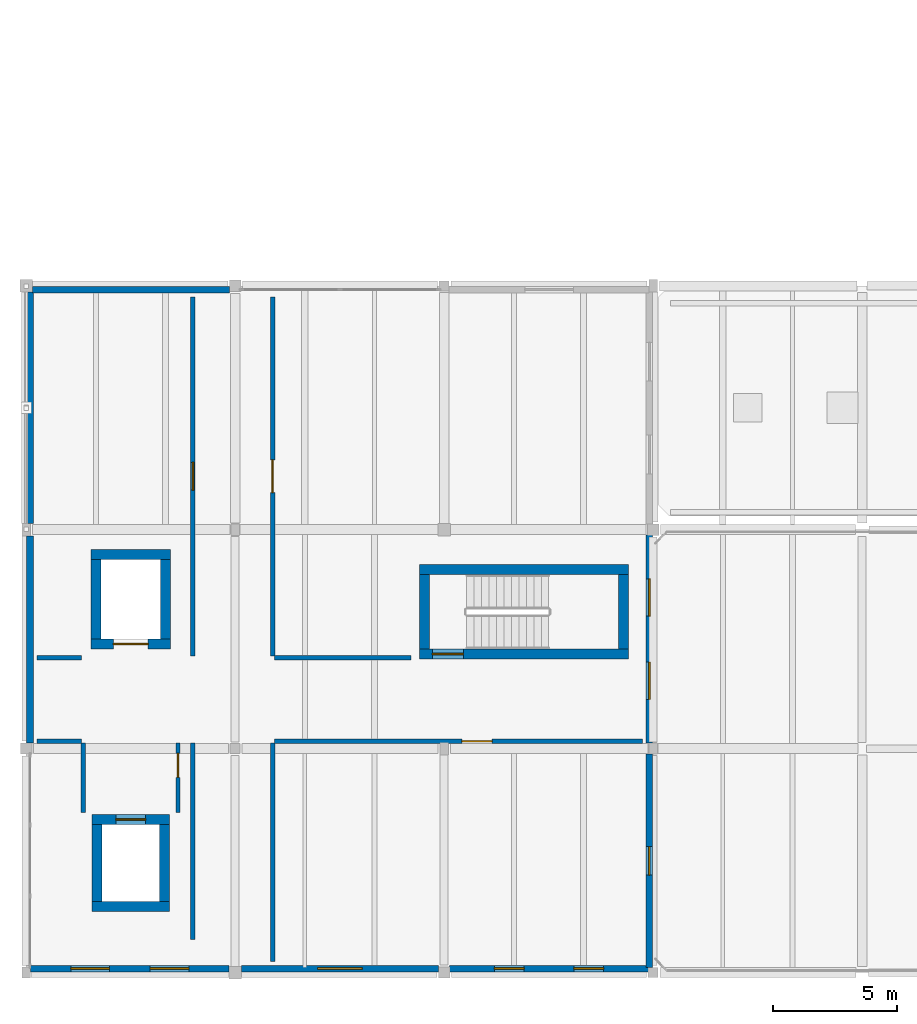
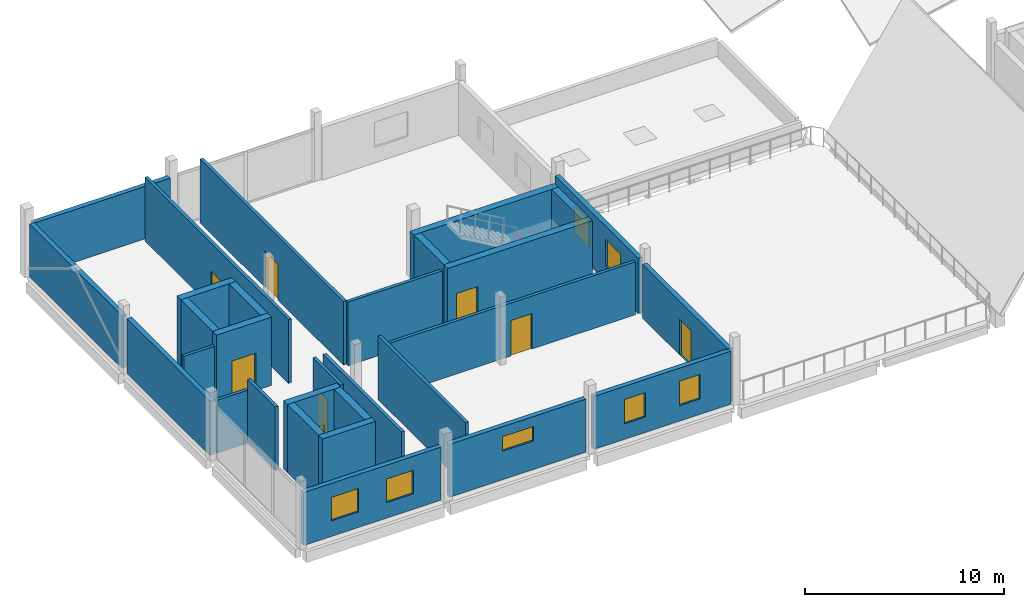
# One storey, part 19 of 35: 30 walls, 8 doors, 7 windows, 15 openings.
"""IFC4 building model written with IfcOpenShell, lengths in metres."""

from ifc_helpers import new_model, si_unit, direction, frame, frame_2d, origin, place, context, subcontext, project, spatial, rectangle, extrude, material, layer, layer_set, type_object, element, fill, save


model = new_model("IFC4")

# Units and contexts
model_context = context("Model", 3, precision=1e-05, world=origin(), true_north=direction((0.0, 1.0)))
body_context = subcontext(model_context, "Body", "Model", "MODEL_VIEW")
ifc_project = project(units=[si_unit("LENGTHUNIT", "METRE"), si_unit("AREAUNIT", "SQUARE_METRE"), si_unit("VOLUMEUNIT", "CUBIC_METRE"), si_unit("PLANEANGLEUNIT", "RADIAN"), si_unit("MASSUNIT", "GRAM", prefix="KILO")], contexts=[model_context])

# Site, building, storey
site_placement = place(None, origin())
site = spatial("IfcSite", under=ifc_project, at=site_placement, CompositionType="ELEMENT")
building_placement = place(site_placement, origin())
building = spatial("IfcBuilding", under=site, at=building_placement, Name="Birchvale Park Specialist Clinic", CompositionType="ELEMENT")
storey_placement = place(building_placement, frame((0.0, 0.0, 13.800048828125)))
storey = spatial("IfcBuildingStorey", under=building, at=storey_placement, Name="L03", CompositionType="ELEMENT", Elevation=13.800048828125)

# Wall, opening, door
ifc_material_1 = material(Name="Concrete C40/50", Category="concrete")
ifc_layer_1 = layer(ifc_material_1, 0.39990234375)
ifc_layer_set_1 = layer_set([ifc_layer_1], Name="Concrete C40/50")
wall_type_1 = type_object("IfcWallType", Name="WL-CW-120", PredefinedType="SHEAR", material=ifc_layer_set_1)
wall_1_placement = place(storey_placement, frame((27.0, 29.60009765625, 0.0), z_axis=(0.0, 0.0, 1.0), x_axis=(1.0, 0.0, 0.0)))
wall_1 = element("IfcWall", 1, at=wall_1_placement, inside=storey, type_object=wall_type_1, Name="L03 stair ST2 EI 120 enclosure wall (south)", PredefinedType="SHEAR", context=body_context, shape_type="SweptSolid", body=[
    extrude(rectangle(XDim=8.39990234375, YDim=0.39990234375, at=frame_2d((4.199951171875, 0.0))), origin(), (0.0, 0.0, 1.0), 3.919921875),
])
opening_1_placement = place(wall_1_placement, frame((0.52001953125, 0.0, 0.0)))
opening_1 = element("IfcOpeningElement", 2, at=opening_1_placement, cuts=wall_1, Name="Opening ID-FD60", PredefinedType="OPENING", context=body_context, shape_type="SweptSolid", body=[
    extrude(rectangle(XDim=1.25, YDim=2.199951171875, at=frame_2d((0.625, 1.10009765625))), frame((0.0, 0.2099609375, 0.0), z_axis=(0.0, -1.0, 0.0), x_axis=(1.0, 0.0, 0.0)), (0.0, 0.0, 1.0), 0.419921875),
])
ifc_material_2 = material(Name="Solid-core birch veneer and anodised aluminium", Category="aluminium")
door_type_1 = type_object("IfcDoorType", Name="DR-ID-FD60", OperationType="NOTDEFINED", PredefinedType="DOOR", material=ifc_material_2)
door_1_placement = place(opening_1_placement, origin())
door_1 = element("IfcDoor", 3, at=door_1_placement, inside=storey, type_object=door_type_1, Name="L03 stair ST2 fire door", OperationType="SINGLE_SWING_LEFT", OverallHeight=2.199951171875, OverallWidth=1.25, PredefinedType="DOOR", context=body_context, shape_type="SweptSolid", body=[
    extrude(rectangle(XDim=1.25, YDim=2.199951171875, at=frame_2d((0.625, 1.10009765625))), frame((0.0, 0.02490234375, 0.0), z_axis=(0.0, -1.0, 0.0), x_axis=(1.0, 0.0, 0.0)), (0.0, 0.0, 1.0), 0.050048828125),
])
fill(opening_1, door_1)

# Walls
wall_2_placement = place(storey_placement, frame((35.39990234375, 33.0, 0.0), z_axis=(0.0, 0.0, 1.0), x_axis=(-1.0, 0.0, 0.0)))
element("IfcWall", 4, at=wall_2_placement, inside=storey, type_object=wall_type_1, Name="L03 stair ST2 EI 120 enclosure wall (north)", PredefinedType="SHEAR", context=body_context, shape_type="SweptSolid", body=[
    extrude(rectangle(XDim=8.39990234375, YDim=0.39990234375, at=frame_2d((4.199951171875, 0.0))), origin(), (0.0, 0.0, 1.0), 3.919921875),
])
for number, where, z_axis, x_axis, name in (
    (5, (27.199951171875, 29.800048828125, 0.0), (0.0, 0.0, 1.0), (0.0, 1.0, 0.0), "L03 stair ST2 EI 120 enclosure wall (west)"),
    (6, (35.199951171875, 32.800048828125, 0.0), (0.0, 0.0, 1.0), (0.0, -1.0, 0.0), "L03 stair ST2 EI 120 enclosure wall (east)"),
):
    element("IfcWall", number, at=place(storey_placement, frame(where, z_axis=z_axis, x_axis=x_axis)), inside=storey, type_object=wall_type_1, Name=name, PredefinedType="SHEAR", context=body_context, shape_type="SweptSolid", body=[
        extrude(rectangle(XDim=3.0, YDim=0.39990234375, at=frame_2d((1.5, 0.0))), origin(), (0.0, 0.0, 1.0), 3.919921875),
    ])
wall_3_placement = place(storey_placement, frame((13.85009765625, 19.449951171875, 0.0), z_axis=(0.0, 0.0, 1.0), x_axis=(1.0, 0.0, 0.0)))
element("IfcWall", 7, at=wall_3_placement, inside=storey, type_object=wall_type_1, Name="L03 lift LP3 shaft wall (south)", PredefinedType="SHEAR", context=body_context, shape_type="SweptSolid", body=[
    extrude(rectangle(XDim=3.099853515625, YDim=0.39990234375, at=frame_2d((1.5498046875, 0.0))), origin(), (0.0, 0.0, 1.0), 4.199951171875),
])

# Wall, opening, door
wall_4_placement = place(storey_placement, frame((16.949951171875, 22.949951171875, 0.0), z_axis=(0.0, 0.0, 1.0), x_axis=(-1.0, 0.0, 0.0)))
wall_4 = element("IfcWall", 8, at=wall_4_placement, inside=storey, type_object=wall_type_1, Name="L03 lift LP3 shaft wall (north)", PredefinedType="SHEAR", context=body_context, shape_type="SweptSolid", body=[
    extrude(rectangle(XDim=3.099853515625, YDim=0.39990234375, at=frame_2d((1.5498046875, 0.0))), origin(), (0.0, 0.0, 1.0), 4.199951171875),
])
opening_2_placement = place(wall_4_placement, frame((0.949951171875, 0.0, 0.0)))
opening_2 = element("IfcOpeningElement", 9, at=opening_2_placement, cuts=wall_4, Name="Opening LD-01", PredefinedType="OPENING", context=body_context, shape_type="SweptSolid", body=[
    extrude(rectangle(XDim=1.199951171875, YDim=2.199951171875, at=frame_2d((0.60009765625, 1.10009765625))), frame((0.0, 0.2099609375, 0.0), z_axis=(0.0, -1.0, 0.0), x_axis=(1.0, 0.0, 0.0)), (0.0, 0.0, 1.0), 0.419921875),
])
door_type_2 = type_object("IfcDoorType", Name="DR-LD-01", OperationType="DOUBLE_DOOR_SLIDING", PredefinedType="DOOR", material=ifc_material_2)
door_2_placement = place(opening_2_placement, origin())
door_2 = element("IfcDoor", 10, at=door_2_placement, inside=storey, type_object=door_type_2, Name="L03 lift LP3 sliding landing door", OperationType="DOUBLE_DOOR_SLIDING", OverallHeight=2.199951171875, OverallWidth=1.199951171875, PredefinedType="DOOR", context=body_context, shape_type="SweptSolid", body=[
    extrude(rectangle(XDim=1.199951171875, YDim=2.199951171875, at=frame_2d((0.60009765625, 1.10009765625))), frame((0.0, 0.02490234375, 0.0), z_axis=(0.0, -1.0, 0.0), x_axis=(1.0, 0.0, 0.0)), (0.0, 0.0, 1.0), 0.050048828125),
])
fill(opening_2, door_2)

# Walls
for number, where, z_axis, x_axis, name in (
    (11, (14.050048828125, 19.64990234375, 0.0), (0.0, 0.0, 1.0), (0.0, 1.0, 0.0), "L03 lift LP3 shaft wall (west)"),
    (12, (16.75, 22.75, 0.0), (0.0, 0.0, 1.0), (0.0, -1.0, 0.0), "L03 lift LP3 shaft wall (east)"),
):
    element("IfcWall", number, at=place(storey_placement, frame(where, z_axis=z_axis, x_axis=x_axis)), inside=storey, type_object=wall_type_1, Name=name, PredefinedType="SHEAR", context=body_context, shape_type="SweptSolid", body=[
        extrude(rectangle(XDim=3.10009765625, YDim=0.39990234375, at=frame_2d((1.550048828125, 0.0))), origin(), (0.0, 0.0, 1.0), 4.199951171875),
    ])

# Wall, opening, door
wall_5_placement = place(storey_placement, frame((13.800048828125, 30.0, 0.0), z_axis=(0.0, 0.0, 1.0), x_axis=(1.0, 0.0, 0.0)))
wall_5 = element("IfcWall", 13, at=wall_5_placement, inside=storey, type_object=wall_type_1, Name="L03 lift LS1 shaft wall (south)", PredefinedType="SHEAR", context=body_context, shape_type="SweptSolid", body=[
    extrude(rectangle(XDim=3.199951171875, YDim=0.39990234375, at=frame_2d((1.60009765625, 0.0))), origin(), (0.0, 0.0, 1.0), 4.199951171875),
])
opening_3_placement = place(wall_5_placement, frame((0.89990234375, 0.0, 0.0)))
opening_3 = element("IfcOpeningElement", 14, at=opening_3_placement, cuts=wall_5, Name="Opening LD-03", PredefinedType="OPENING", context=body_context, shape_type="SweptSolid", body=[
    extrude(rectangle(XDim=1.39990234375, YDim=2.300048828125, at=frame_2d((0.699951171875, 1.14990234375))), frame((0.0, 0.2099609375, 0.0), z_axis=(0.0, -1.0, 0.0), x_axis=(1.0, 0.0, 0.0)), (0.0, 0.0, 1.0), 0.419921875),
])
door_type_3 = type_object("IfcDoorType", Name="DR-LD-03", OperationType="DOUBLE_DOOR_SLIDING", PredefinedType="DOOR", material=ifc_material_2)
door_3_placement = place(opening_3_placement, origin())
door_3 = element("IfcDoor", 15, at=door_3_placement, inside=storey, type_object=door_type_3, Name="L03 lift LS1 sliding landing door", OperationType="DOUBLE_DOOR_SLIDING", OverallHeight=2.300048828125, OverallWidth=1.39990234375, PredefinedType="DOOR", context=body_context, shape_type="SweptSolid", body=[
    extrude(rectangle(XDim=1.39990234375, YDim=2.300048828125, at=frame_2d((0.699951171875, 1.14990234375))), frame((0.0, 0.02490234375, 0.0), z_axis=(0.0, -1.0, 0.0), x_axis=(1.0, 0.0, 0.0)), (0.0, 0.0, 1.0), 0.050048828125),
])
fill(opening_3, door_3)

# Walls
for number, where, z_axis, x_axis, name in (
    (16, (17.0, 33.60009765625, 0.0), (0.0, 0.0, 1.0), (-1.0, 0.0, 0.0), "L03 lift LS1 shaft wall (north)"),
    (17, (14.0, 30.199951171875, 0.0), (0.0, 0.0, 1.0), (0.0, 1.0, 0.0), "L03 lift LS1 shaft wall (west)"),
    (18, (16.800048828125, 33.39990234375, 0.0), (0.0, 0.0, 1.0), (0.0, -1.0, 0.0), "L03 lift LS1 shaft wall (east)"),
):
    element("IfcWall", number, at=place(storey_placement, frame(where, z_axis=z_axis, x_axis=x_axis)), inside=storey, type_object=wall_type_1, Name=name, PredefinedType="SHEAR", context=body_context, shape_type="SweptSolid", body=[
        extrude(rectangle(XDim=3.199951171875, YDim=0.39990234375, at=frame_2d((1.60009765625, 0.0))), origin(), (0.0, 0.0, 1.0), 4.199951171875),
    ])

# Wall, openings, windows
ifc_material_3 = material(Name="Lime-white mineral-rendered insulated masonry", Category="masonry")
ifc_layer_2 = layer(ifc_material_3, 0.27001953125)
ifc_layer_set_2 = layer_set([ifc_layer_2], Name="Lime-white mineral-rendered insulated masonry")
wall_type_2 = type_object("IfcWallType", Name="WL-EW-04", PredefinedType="STANDARD", material=ifc_layer_set_2)
wall_6_placement = place(storey_placement, frame((11.3701171875, 16.955078125, 0.0), z_axis=(0.0, 0.0, 1.0), x_axis=(1.0, 0.0, 0.0)))
wall_6 = element("IfcWall", 19, at=wall_6_placement, inside=storey, type_object=wall_type_2, Name="V2 L03 exterior facade wall 228", PredefinedType="STANDARD", context=body_context, shape_type="SweptSolid", body=[
    extrude(rectangle(XDim=7.98486328125, YDim=0.27001953125, at=frame_2d((3.992431640625, 0.0))), origin(), (0.0, 0.0, 1.0), 3.2548828125),
])
opening_4_placement = place(wall_6_placement, frame((1.62060546875, 0.0, 0.949951171875)))
opening_4 = element("IfcOpeningElement", 20, at=opening_4_placement, cuts=wall_6, Name="Opening W-CL15", PredefinedType="OPENING", context=body_context, shape_type="SweptSolid", body=[
    extrude(rectangle(XDim=1.550048828125, YDim=1.449951171875, at=frame_2d((0.77490234375, 0.72509765625))), frame((0.0, 0.14501953125, 0.0), z_axis=(0.0, -1.0, 0.0), x_axis=(1.0, 0.0, 0.0)), (0.0, 0.0, 1.0), 0.2900390625),
])
opening_5_placement = place(wall_6_placement, frame((4.814453125, 0.0, 0.949951171875)))
opening_5 = element("IfcOpeningElement", 21, at=opening_5_placement, cuts=wall_6, Name="Opening W-CL15", PredefinedType="OPENING", context=body_context, shape_type="SweptSolid", body=[
    extrude(rectangle(XDim=1.550048828125, YDim=1.449951171875, at=frame_2d((0.77490234375, 0.72509765625))), frame((0.0, 0.14501953125, 0.0), z_axis=(0.0, -1.0, 0.0), x_axis=(1.0, 0.0, 0.0)), (0.0, 0.0, 1.0), 0.2900390625),
])
ifc_material_4 = material(Name="Solar-control low-E double glazing", Category="glass")
window_type_1 = type_object("IfcWindowType", Name="WIN-W-CL15", PartitioningType="SINGLE_PANEL", PredefinedType="WINDOW", material=ifc_material_4)
window_1_placement = place(opening_4_placement, origin())
window_1 = element("IfcWindow", 22, at=window_1_placement, inside=storey, type_object=window_type_1, Name="V2 L03 cased window 90", OverallHeight=1.449951171875, OverallWidth=1.550048828125, PartitioningType="SINGLE_PANEL", PredefinedType="WINDOW", context=body_context, shape_type="SweptSolid", body=[
    extrude(rectangle(XDim=1.550048828125, YDim=1.449951171875, at=frame_2d((0.77490234375, 0.72509765625))), frame((0.0, 0.030029296875, 0.0), z_axis=(0.0, -1.0, 0.0), x_axis=(1.0, 0.0, 0.0)), (0.0, 0.0, 1.0), 0.06005859375),
])
fill(opening_4, window_1)
window_2_placement = place(opening_5_placement, origin())
window_2 = element("IfcWindow", 23, at=window_2_placement, inside=storey, type_object=window_type_1, Name="V2 L03 cased window 91", OverallHeight=1.449951171875, OverallWidth=1.550048828125, PartitioningType="SINGLE_PANEL", PredefinedType="WINDOW", context=body_context, shape_type="SweptSolid", body=[
    extrude(rectangle(XDim=1.550048828125, YDim=1.449951171875, at=frame_2d((0.77490234375, 0.72509765625))), frame((0.0, 0.030029296875, 0.0), z_axis=(0.0, -1.0, 0.0), x_axis=(1.0, 0.0, 0.0)), (0.0, 0.0, 1.0), 0.06005859375),
])
fill(opening_5, window_2)

# Wall, opening, window
wall_7_placement = place(storey_placement, frame((19.844970703125, 16.955078125, 0.0), z_axis=(0.0, 0.0, 1.0), x_axis=(1.0, 0.0, 0.0)))
wall_7 = element("IfcWall", 24, at=wall_7_placement, inside=storey, type_object=wall_type_2, Name="V2 L03 exterior facade wall 229", PredefinedType="STANDARD", context=body_context, shape_type="SweptSolid", body=[
    extrude(rectangle(XDim=7.93505859375, YDim=0.27001953125, at=frame_2d((3.967529296875, 0.0))), origin(), (0.0, 0.0, 1.0), 3.2548828125),
])
opening_6_placement = place(wall_7_placement, frame((3.0673828125, 0.0, 1.75)))
opening_6 = element("IfcOpeningElement", 25, at=opening_6_placement, cuts=wall_7, Name="Opening W-CL09", PredefinedType="OPENING", context=body_context, shape_type="SweptSolid", body=[
    extrude(rectangle(XDim=1.800048828125, YDim=0.89990234375, at=frame_2d((0.89990234375, 0.449951171875))), frame((0.0, 0.14501953125, 0.0), z_axis=(0.0, -1.0, 0.0), x_axis=(1.0, 0.0, 0.0)), (0.0, 0.0, 1.0), 0.2900390625),
])
window_type_2 = type_object("IfcWindowType", Name="WIN-W-CL09", PartitioningType="SINGLE_PANEL", PredefinedType="WINDOW", material=ifc_material_4)
window_3_placement = place(opening_6_placement, origin())
window_3 = element("IfcWindow", 26, at=window_3_placement, inside=storey, type_object=window_type_2, Name="V2 L03 cased window 92", OverallHeight=0.89990234375, OverallWidth=1.800048828125, PartitioningType="SINGLE_PANEL", PredefinedType="WINDOW", context=body_context, shape_type="SweptSolid", body=[
    extrude(rectangle(XDim=1.800048828125, YDim=0.89990234375, at=frame_2d((0.89990234375, 0.449951171875))), frame((0.0, 0.030029296875, 0.0), z_axis=(0.0, -1.0, 0.0), x_axis=(1.0, 0.0, 0.0)), (0.0, 0.0, 1.0), 0.06005859375),
])
fill(opening_6, window_3)

# Wall, openings, windows
wall_8_placement = place(storey_placement, frame((28.219970703125, 16.955078125, 0.0), z_axis=(0.0, 0.0, 1.0), x_axis=(1.0, 0.0, 0.0)))
wall_8 = element("IfcWall", 27, at=wall_8_placement, inside=storey, type_object=wall_type_2, Name="V2 L03 exterior facade wall 230", PredefinedType="STANDARD", context=body_context, shape_type="SweptSolid", body=[
    extrude(rectangle(XDim=7.985107421875, YDim=0.27001953125, at=frame_2d((3.99267578125, 0.0))), origin(), (0.0, 0.0, 1.0), 3.2548828125),
])
opening_7_placement = place(wall_8_placement, frame((1.79541015625, 0.0, 0.949951171875)))
opening_7 = element("IfcOpeningElement", 28, at=opening_7_placement, cuts=wall_8, Name="Opening W-CL01", PredefinedType="OPENING", context=body_context, shape_type="SweptSolid", body=[
    extrude(rectangle(XDim=1.199951171875, YDim=1.5, at=frame_2d((0.60009765625, 0.75))), frame((0.0, 0.14501953125, 0.0), z_axis=(0.0, -1.0, 0.0), x_axis=(1.0, 0.0, 0.0)), (0.0, 0.0, 1.0), 0.2900390625),
])
opening_8_placement = place(wall_8_placement, frame((4.989501953125, 0.0, 0.949951171875)))
opening_8 = element("IfcOpeningElement", 29, at=opening_8_placement, cuts=wall_8, Name="Opening W-CL01", PredefinedType="OPENING", context=body_context, shape_type="SweptSolid", body=[
    extrude(rectangle(XDim=1.199951171875, YDim=1.5, at=frame_2d((0.60009765625, 0.75))), frame((0.0, 0.14501953125, 0.0), z_axis=(0.0, -1.0, 0.0), x_axis=(1.0, 0.0, 0.0)), (0.0, 0.0, 1.0), 0.2900390625),
])
window_type_3 = type_object("IfcWindowType", Name="WIN-W-CL01", PartitioningType="SINGLE_PANEL", PredefinedType="WINDOW", material=ifc_material_4)
window_4_placement = place(opening_7_placement, origin())
window_4 = element("IfcWindow", 30, at=window_4_placement, inside=storey, type_object=window_type_3, Name="V2 L03 cased window 93", OverallHeight=1.5, OverallWidth=1.199951171875, PartitioningType="SINGLE_PANEL", PredefinedType="WINDOW", context=body_context, shape_type="SweptSolid", body=[
    extrude(rectangle(XDim=1.199951171875, YDim=1.5, at=frame_2d((0.60009765625, 0.75))), frame((0.0, 0.030029296875, 0.0), z_axis=(0.0, -1.0, 0.0), x_axis=(1.0, 0.0, 0.0)), (0.0, 0.0, 1.0), 0.06005859375),
])
fill(opening_7, window_4)
window_5_placement = place(opening_8_placement, origin())
window_5 = element("IfcWindow", 31, at=window_5_placement, inside=storey, type_object=window_type_3, Name="V2 L03 cased window 94", OverallHeight=1.5, OverallWidth=1.199951171875, PartitioningType="SINGLE_PANEL", PredefinedType="WINDOW", context=body_context, shape_type="SweptSolid", body=[
    extrude(rectangle(XDim=1.199951171875, YDim=1.5, at=frame_2d((0.60009765625, 0.75))), frame((0.0, 0.030029296875, 0.0), z_axis=(0.0, -1.0, 0.0), x_axis=(1.0, 0.0, 0.0)), (0.0, 0.0, 1.0), 0.06005859375),
])
fill(opening_8, window_5)

# Wall, opening, door
wall_9_placement = place(storey_placement, frame((36.2451171875, 16.9951171875, 0.0), z_axis=(0.0, 0.0, 1.0), x_axis=(0.0, 1.0, 0.0)))
wall_9 = element("IfcWall", 32, at=wall_9_placement, inside=storey, type_object=wall_type_2, Name="V2 L03 exterior facade wall 231", PredefinedType="STANDARD", context=body_context, shape_type="SweptSolid", body=[
    extrude(rectangle(XDim=8.5849609375, YDim=0.27001953125, at=frame_2d((4.29248046875, 0.0))), origin(), (0.0, 0.0, 1.0), 3.304931640625),
])
opening_9_placement = place(wall_9_placement, frame((3.717529296875, 0.0, 0.0)))
opening_9 = element("IfcOpeningElement", 33, at=opening_9_placement, cuts=wall_9, Name="Opening ED-05", PredefinedType="OPENING", context=body_context, shape_type="SweptSolid", body=[
    extrude(rectangle(XDim=1.14990234375, YDim=2.199951171875, at=frame_2d((0.574951171875, 1.10009765625))), frame((0.0, 0.14501953125, 0.0), z_axis=(0.0, -1.0, 0.0), x_axis=(1.0, 0.0, 0.0)), (0.0, 0.0, 1.0), 0.2900390625),
])
ifc_material_5 = material(Name="Powder-coated aluminium and laminated safety glass", Category="aluminium")
door_type_4 = type_object("IfcDoorType", Name="DR-ED-05", OperationType="NOTDEFINED", PredefinedType="DOOR", material=ifc_material_5)
door_4_placement = place(opening_9_placement, frame((1.14990234375, 0.0, 0.0), z_axis=(0.0, 0.0, 1.0), x_axis=(-1.0, 0.0, 0.0)))
door_4 = element("IfcDoor", 34, at=door_4_placement, inside=storey, type_object=door_type_4, Name="V2 L03 accessible roof terrace door 37", OperationType="SINGLE_SWING_RIGHT", OverallHeight=2.199951171875, OverallWidth=1.14990234375, PredefinedType="DOOR", context=body_context, shape_type="SweptSolid", body=[
    extrude(rectangle(XDim=1.14990234375, YDim=2.199951171875, at=frame_2d((0.574951171875, 1.10009765625))), frame((0.0, 0.02490234375, 0.0), z_axis=(0.0, -1.0, 0.0), x_axis=(1.0, 0.0, 0.0)), (0.0, 0.0, 1.0), 0.050048828125),
])
fill(opening_9, door_4)

# Wall, openings, windows
wall_10_placement = place(storey_placement, frame((36.2451171875, 26.02001953125, 0.0), z_axis=(0.0, 0.0, 1.0), x_axis=(0.0, 1.0, 0.0)))
wall_10 = element("IfcWall", 35, at=wall_10_placement, inside=storey, type_object=wall_type_2, Name="V2 L03 exterior facade wall 232", PredefinedType="STANDARD", context=body_context, shape_type="SweptSolid", body=[
    extrude(rectangle(XDim=8.35986328125, YDim=0.27001953125, at=frame_2d((4.179931640625, 0.0))), origin(), (0.0, 0.0, 1.0), 3.405029296875),
])
opening_10_placement = place(wall_10_placement, frame((1.758056640625, 0.0, 0.949951171875)))
opening_10 = element("IfcOpeningElement", 36, at=opening_10_placement, cuts=wall_10, Name="Opening W-CL03", PredefinedType="OPENING", context=body_context, shape_type="SweptSolid", body=[
    extrude(rectangle(XDim=1.5, YDim=1.64990234375, at=frame_2d((0.75, 0.824951171875))), frame((0.0, 0.14501953125, 0.0), z_axis=(0.0, -1.0, 0.0), x_axis=(1.0, 0.0, 0.0)), (0.0, 0.0, 1.0), 0.2900390625),
])
opening_11_placement = place(wall_10_placement, frame((5.10205078125, 0.0, 0.949951171875)))
opening_11 = element("IfcOpeningElement", 37, at=opening_11_placement, cuts=wall_10, Name="Opening W-CL03", PredefinedType="OPENING", context=body_context, shape_type="SweptSolid", body=[
    extrude(rectangle(XDim=1.5, YDim=1.64990234375, at=frame_2d((0.75, 0.824951171875))), frame((0.0, 0.14501953125, 0.0), z_axis=(0.0, -1.0, 0.0), x_axis=(1.0, 0.0, 0.0)), (0.0, 0.0, 1.0), 0.2900390625),
])
window_type_4 = type_object("IfcWindowType", Name="WIN-W-CL03", PartitioningType="SINGLE_PANEL", PredefinedType="WINDOW", material=ifc_material_4)
window_6_placement = place(opening_10_placement, origin())
window_6 = element("IfcWindow", 38, at=window_6_placement, inside=storey, type_object=window_type_4, Name="V2 L03 cased window 95", OverallHeight=1.64990234375, OverallWidth=1.5, PartitioningType="SINGLE_PANEL", PredefinedType="WINDOW", context=body_context, shape_type="SweptSolid", body=[
    extrude(rectangle(XDim=1.5, YDim=1.64990234375, at=frame_2d((0.75, 0.824951171875))), frame((0.0, 0.030029296875, 0.0), z_axis=(0.0, -1.0, 0.0), x_axis=(1.0, 0.0, 0.0)), (0.0, 0.0, 1.0), 0.06005859375),
])
fill(opening_10, window_6)
window_7_placement = place(opening_11_placement, origin())
window_7 = element("IfcWindow", 39, at=window_7_placement, inside=storey, type_object=window_type_4, Name="V2 L03 cased window 96", OverallHeight=1.64990234375, OverallWidth=1.5, PartitioningType="SINGLE_PANEL", PredefinedType="WINDOW", context=body_context, shape_type="SweptSolid", body=[
    extrude(rectangle(XDim=1.5, YDim=1.64990234375, at=frame_2d((0.75, 0.824951171875))), frame((0.0, 0.030029296875, 0.0), z_axis=(0.0, -1.0, 0.0), x_axis=(1.0, 0.0, 0.0)), (0.0, 0.0, 1.0), 0.06005859375),
])
fill(opening_11, window_7)

# Walls
wall_11_placement = place(storey_placement, frame((19.3798828125, 44.2451171875, 0.0), z_axis=(0.0, 0.0, 1.0), x_axis=(-1.0, 0.0, 0.0)))
element("IfcWall", 40, at=wall_11_placement, inside=storey, type_object=wall_type_2, Name="V2 L03 exterior facade wall 235", PredefinedType="STANDARD", context=body_context, shape_type="SweptSolid", body=[
    extrude(rectangle(XDim=7.934814453125, YDim=0.27001953125, at=frame_2d((3.96728515625, 0.0))), origin(), (0.0, 0.0, 1.0), 3.224853515625),
])
wall_12_placement = place(storey_placement, frame((11.35498046875, 44.155029296875, 0.0), z_axis=(0.0, 0.0, 1.0), x_axis=(0.0, -1.0, 0.0)))
element("IfcWall", 41, at=wall_12_placement, inside=storey, type_object=wall_type_2, Name="V2 L03 exterior facade wall 236", PredefinedType="STANDARD", context=body_context, shape_type="SweptSolid", body=[
    extrude(rectangle(XDim=9.31005859375, YDim=0.27001953125, at=frame_2d((4.655029296875, 0.0))), origin(), (0.0, 0.0, 1.0), 3.23486328125),
])
wall_13_placement = place(storey_placement, frame((11.35498046875, 34.35498046875, 0.0), z_axis=(0.0, 0.0, 1.0), x_axis=(0.0, -1.0, 0.0)))
element("IfcWall", 42, at=wall_13_placement, inside=storey, type_object=wall_type_2, Name="V2 L03 exterior facade wall 237", PredefinedType="STANDARD", context=body_context, shape_type="SweptSolid", body=[
    extrude(rectangle(XDim=8.3349609375, YDim=0.27001953125, at=frame_2d((4.16748046875, 0.0))), origin(), (0.0, 0.0, 1.0), 3.364990234375),
])

# Wall, opening, door
ifc_material_6 = material(Name="Acoustic gypsum board on metal framing")
ifc_layer_3 = layer(ifc_material_6, 0.179931640625)
ifc_layer_set_3 = layer_set([ifc_layer_3], Name="Acoustic gypsum board on metal framing")
wall_type_3 = type_object("IfcWallType", Name="WL-IW-60", PredefinedType="PARTITIONING", material=ifc_layer_set_3)
wall_14_placement = place(storey_placement, frame((17.300048828125, 23.22998046875, 0.0), z_axis=(0.0, 0.0, 1.0), x_axis=(0.0, 1.0, 0.0)))
wall_14 = element("IfcWall", 43, at=wall_14_placement, inside=storey, type_object=wall_type_3, Name="V2 L03 clinical partition 491", PredefinedType="PARTITIONING", context=body_context, shape_type="SweptSolid", body=[
    extrude(rectangle(XDim=2.7900390625, YDim=0.179931640625, at=frame_2d((1.39501953125, 0.0))), origin(), (0.0, 0.0, 1.0), 3.919921875),
])
opening_12_placement = place(wall_14_placement, frame((1.4150390625, 0.0, 0.0)))
opening_12 = element("IfcOpeningElement", 44, at=opening_12_placement, cuts=wall_14, Name="Opening ID-04", PredefinedType="OPENING", context=body_context, shape_type="SweptSolid", body=[
    extrude(rectangle(XDim=0.9599609375, YDim=2.10009765625, at=frame_2d((0.47998046875, 1.050048828125))), frame((0.0, 0.10009765625, 0.0), z_axis=(0.0, -1.0, 0.0), x_axis=(1.0, 0.0, 0.0)), (0.0, 0.0, 1.0), 0.199951171875),
])
door_type_5 = type_object("IfcDoorType", Name="DR-ID-04", OperationType="NOTDEFINED", PredefinedType="DOOR", material=ifc_material_2)
door_5_placement = place(opening_12_placement, origin())
door_5 = element("IfcDoor", 45, at=door_5_placement, inside=storey, type_object=door_type_5, Name="L03 Echocardiography Imaging Clinic door", OperationType="SINGLE_SWING_LEFT", OverallHeight=2.10009765625, OverallWidth=0.9599609375, PredefinedType="DOOR", context=body_context, shape_type="SweptSolid", body=[
    extrude(rectangle(XDim=0.9599609375, YDim=2.10009765625, at=frame_2d((0.47998046875, 1.050048828125))), frame((0.0, 0.02490234375, 0.0), z_axis=(0.0, -1.0, 0.0), x_axis=(1.0, 0.0, 0.0)), (0.0, 0.0, 1.0), 0.050048828125),
])
fill(opening_12, door_5)

# Walls
wall_15_placement = place(storey_placement, frame((17.89990234375, 26.02001953125, 0.0), z_axis=(0.0, 0.0, 1.0), x_axis=(0.0, -1.0, 0.0)))
element("IfcWall", 46, at=wall_15_placement, inside=storey, type_object=wall_type_3, Name="V2 L03 clinical partition 492", PredefinedType="PARTITIONING", context=body_context, shape_type="SweptSolid", body=[
    extrude(rectangle(XDim=7.89013671875, YDim=0.179931640625, at=frame_2d((3.945068359375, 0.0))), origin(), (0.0, 0.0, 1.0), 3.919921875),
])
wall_16_placement = place(storey_placement, frame((11.639892578125, 26.10009765625, 0.0), z_axis=(0.0, 0.0, 1.0), x_axis=(1.0, 0.0, 0.0)))
element("IfcWall", 47, at=wall_16_placement, inside=storey, type_object=wall_type_3, Name="V2 L03 clinical partition 493", PredefinedType="PARTITIONING", context=body_context, shape_type="SweptSolid", body=[
    extrude(rectangle(XDim=1.780029296875, YDim=0.179931640625, at=frame_2d((0.89013671875, 0.0))), origin(), (0.0, 0.0, 1.0), 3.2548828125),
])
wall_17_placement = place(storey_placement, frame((13.5, 26.02001953125, 0.0), z_axis=(0.0, 0.0, 1.0), x_axis=(0.0, -1.0, 0.0)))
element("IfcWall", 48, at=wall_17_placement, inside=storey, type_object=wall_type_3, Name="V2 L03 clinical partition 494", PredefinedType="PARTITIONING", context=body_context, shape_type="SweptSolid", body=[
    extrude(rectangle(XDim=2.7900390625, YDim=0.179931640625, at=frame_2d((1.39501953125, 0.0))), origin(), (0.0, 0.0, 1.0), 3.919921875),
])

# Wall, opening, door
wall_18_placement = place(storey_placement, frame((21.179931640625, 26.10009765625, 0.0), z_axis=(0.0, 0.0, 1.0), x_axis=(1.0, 0.0, 0.0)))
wall_18 = element("IfcWall", 49, at=wall_18_placement, inside=storey, type_object=wall_type_3, Name="V2 L03 clinical partition 495", PredefinedType="PARTITIONING", context=body_context, shape_type="SweptSolid", body=[
    extrude(rectangle(XDim=14.780029296875, YDim=0.179931640625, at=frame_2d((7.39013671875, 0.0))), origin(), (0.0, 0.0, 1.0), 3.2548828125),
])
opening_13_placement = place(wall_18_placement, frame((7.530029296875, 0.0, 0.0)))
opening_13 = element("IfcOpeningElement", 50, at=opening_13_placement, cuts=wall_18, Name="Opening ID-10", PredefinedType="OPENING", context=body_context, shape_type="SweptSolid", body=[
    extrude(rectangle(XDim=1.219970703125, YDim=2.179931640625, at=frame_2d((0.60986328125, 1.08984375))), frame((0.0, 0.10009765625, 0.0), z_axis=(0.0, -1.0, 0.0), x_axis=(1.0, 0.0, 0.0)), (0.0, 0.0, 1.0), 0.199951171875),
])
door_type_6 = type_object("IfcDoorType", Name="DR-ID-10", OperationType="NOTDEFINED", PredefinedType="DOOR", material=ifc_material_2)
door_6_placement = place(opening_13_placement, origin())
door_6 = element("IfcDoor", 51, at=door_6_placement, inside=storey, type_object=door_type_6, Name="L03 Vascular Ultrasound Suite door", OperationType="SINGLE_SWING_RIGHT", OverallHeight=2.179931640625, OverallWidth=1.219970703125, PredefinedType="DOOR", context=body_context, shape_type="SweptSolid", body=[
    extrude(rectangle(XDim=1.219970703125, YDim=2.179931640625, at=frame_2d((0.60986328125, 1.08984375))), frame((0.0, 0.02490234375, 0.0), z_axis=(0.0, -1.0, 0.0), x_axis=(1.0, 0.0, 0.0)), (0.0, 0.0, 1.0), 0.050048828125),
])
fill(opening_13, door_6)

# Walls
wall_19_placement = place(storey_placement, frame((21.10009765625, 17.239990234375, 0.0), z_axis=(0.0, 0.0, 1.0), x_axis=(0.0, 1.0, 0.0)))
element("IfcWall", 52, at=wall_19_placement, inside=storey, type_object=wall_type_3, Name="V2 L03 clinical partition 496", PredefinedType="PARTITIONING", context=body_context, shape_type="SweptSolid", body=[
    extrude(rectangle(XDim=8.780029296875, YDim=0.179931640625, at=frame_2d((4.39013671875, 0.0))), origin(), (0.0, 0.0, 1.0), 3.919921875),
])
wall_20_placement = place(storey_placement, frame((13.419921875, 29.449951171875, 0.0), z_axis=(0.0, 0.0, 1.0), x_axis=(-1.0, 0.0, 0.0)))
element("IfcWall", 53, at=wall_20_placement, inside=storey, type_object=wall_type_3, Name="V2 L03 clinical partition 497", PredefinedType="PARTITIONING", context=body_context, shape_type="SweptSolid", body=[
    extrude(rectangle(XDim=1.780029296875, YDim=0.179931640625, at=frame_2d((0.89013671875, 0.0))), origin(), (0.0, 0.0, 1.0), 3.919921875),
])

# Wall, opening, door
wall_21_placement = place(storey_placement, frame((17.89990234375, 43.9599609375, 0.0), z_axis=(0.0, 0.0, 1.0), x_axis=(0.0, -1.0, 0.0)))
wall_21 = element("IfcWall", 54, at=wall_21_placement, inside=storey, type_object=wall_type_3, Name="V2 L03 clinical partition 498", PredefinedType="PARTITIONING", context=body_context, shape_type="SweptSolid", body=[
    extrude(rectangle(XDim=14.429931640625, YDim=0.179931640625, at=frame_2d((7.21484375, 0.0))), origin(), (0.0, 0.0, 1.0), 3.919921875),
])
opening_14_placement = place(wall_21_placement, frame((6.655029296875, 0.0, 0.0)))
opening_14 = element("IfcOpeningElement", 55, at=opening_14_placement, cuts=wall_21, Name="Opening ID-11", PredefinedType="OPENING", context=body_context, shape_type="SweptSolid", body=[
    extrude(rectangle(XDim=1.1201171875, YDim=2.159912109375, at=frame_2d((0.56005859375, 1.080078125))), frame((0.0, 0.10009765625, 0.0), z_axis=(0.0, -1.0, 0.0), x_axis=(1.0, 0.0, 0.0)), (0.0, 0.0, 1.0), 0.199951171875),
])
door_type_7 = type_object("IfcDoorType", Name="DR-ID-11", OperationType="NOTDEFINED", PredefinedType="DOOR", material=ifc_material_2)
door_7_placement = place(opening_14_placement, origin())
door_7 = element("IfcDoor", 56, at=door_7_placement, inside=storey, type_object=door_type_7, Name="L03 Pulmonary Function Diagnostic Lab door", OperationType="SINGLE_SWING_LEFT", OverallHeight=2.159912109375, OverallWidth=1.1201171875, PredefinedType="DOOR", context=body_context, shape_type="SweptSolid", body=[
    extrude(rectangle(XDim=1.1201171875, YDim=2.159912109375, at=frame_2d((0.56005859375, 1.080078125))), frame((0.0, 0.02490234375, 0.0), z_axis=(0.0, -1.0, 0.0), x_axis=(1.0, 0.0, 0.0)), (0.0, 0.0, 1.0), 0.050048828125),
])
fill(opening_14, door_7)

# Wall
wall_22_placement = place(storey_placement, frame((26.6650390625, 29.449951171875, 0.0), z_axis=(0.0, 0.0, 1.0), x_axis=(-1.0, 0.0, 0.0)))
element("IfcWall", 57, at=wall_22_placement, inside=storey, type_object=wall_type_3, Name="V2 L03 clinical partition 499", PredefinedType="PARTITIONING", context=body_context, shape_type="SweptSolid", body=[
    extrude(rectangle(XDim=5.485107421875, YDim=0.179931640625, at=frame_2d((2.74267578125, 0.0))), origin(), (0.0, 0.0, 1.0), 3.919921875),
])

# Wall, opening, door
wall_23_placement = place(storey_placement, frame((21.10009765625, 29.530029296875, 0.0), z_axis=(0.0, 0.0, 1.0), x_axis=(0.0, 1.0, 0.0)))
wall_23 = element("IfcWall", 58, at=wall_23_placement, inside=storey, type_object=wall_type_3, Name="V2 L03 clinical partition 500", PredefinedType="PARTITIONING", context=body_context, shape_type="SweptSolid", body=[
    extrude(rectangle(XDim=14.429931640625, YDim=0.179931640625, at=frame_2d((7.21484375, 0.0))), origin(), (0.0, 0.0, 1.0), 3.919921875),
])
opening_15_placement = place(wall_23_placement, frame((6.554931640625, 0.0, 0.0)))
opening_15 = element("IfcOpeningElement", 59, at=opening_15_placement, cuts=wall_23, Name="Opening ID-12", PredefinedType="OPENING", context=body_context, shape_type="SweptSolid", body=[
    extrude(rectangle(XDim=1.320068359375, YDim=2.219970703125, at=frame_2d((0.66015625, 1.10986328125))), frame((0.0, 0.10009765625, 0.0), z_axis=(0.0, -1.0, 0.0), x_axis=(1.0, 0.0, 0.0)), (0.0, 0.0, 1.0), 0.199951171875),
])
door_type_8 = type_object("IfcDoorType", Name="DR-ID-12", OperationType="NOTDEFINED", PredefinedType="DOOR", material=ifc_material_2)
door_8_placement = place(opening_15_placement, origin())
door_8 = element("IfcDoor", 60, at=door_8_placement, inside=storey, type_object=door_type_8, Name="L03 Neurophysiology Clinic door", OperationType="SINGLE_SWING_RIGHT", OverallHeight=2.219970703125, OverallWidth=1.320068359375, PredefinedType="DOOR", context=body_context, shape_type="SweptSolid", body=[
    extrude(rectangle(XDim=1.320068359375, YDim=2.219970703125, at=frame_2d((0.66015625, 1.10986328125))), frame((0.0, 0.02490234375, 0.0), z_axis=(0.0, -1.0, 0.0), x_axis=(1.0, 0.0, 0.0)), (0.0, 0.0, 1.0), 0.050048828125),
])
fill(opening_15, door_8)

save(model, "model.ifc")
